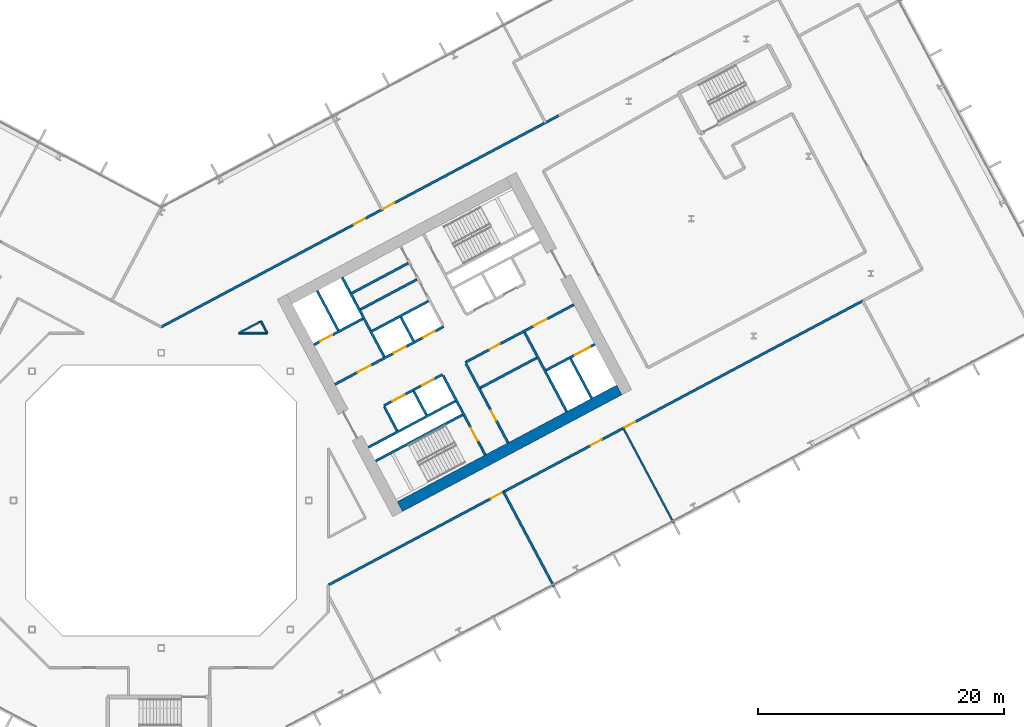
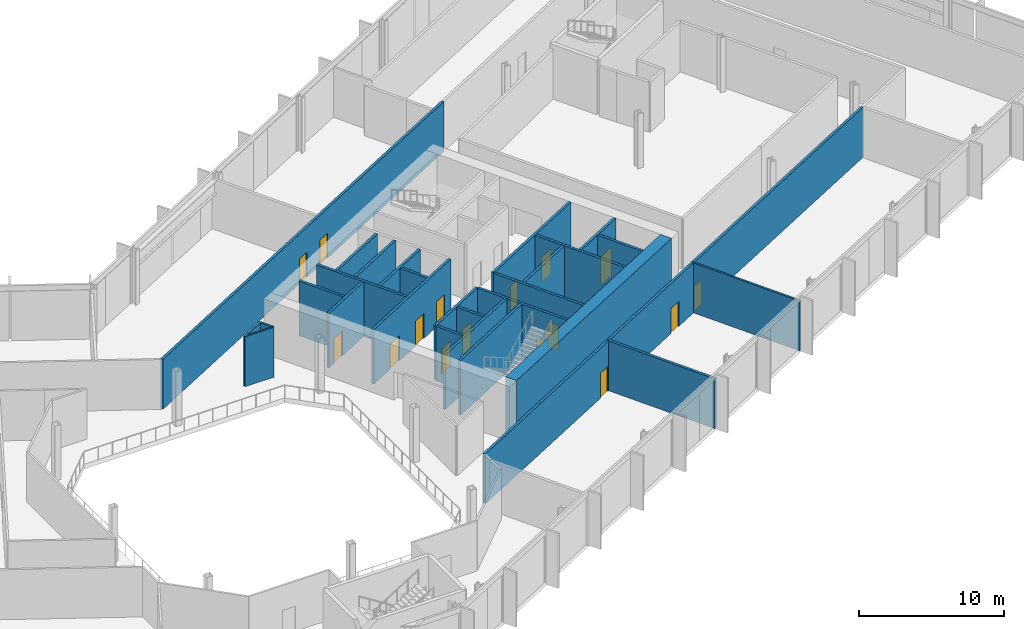
# One storey, part 17 of 30: 28 walls, 16 doors, 16 openings.
"""IFC4 building model written with IfcOpenShell, lengths in metres."""

from ifc_helpers import new_model, si_unit, direction, frame, frame_2d, origin, place, context, subcontext, project, spatial, rectangle, extrude, material, layer, layer_set, type_object, element, fill, save


model = new_model("IFC4")

# Units and contexts
model_context = context("Model", 3, precision=1e-05, world=origin(), true_north=direction((0.0, 1.0)))
body_context = subcontext(model_context, "Body", "Model", "MODEL_VIEW")
ifc_project = project(units=[si_unit("LENGTHUNIT", "METRE"), si_unit("AREAUNIT", "SQUARE_METRE"), si_unit("VOLUMEUNIT", "CUBIC_METRE"), si_unit("PLANEANGLEUNIT", "RADIAN"), si_unit("MASSUNIT", "GRAM", prefix="KILO")], contexts=[model_context])

# Site, building, storey
site_placement = place(None, origin())
site = spatial("IfcSite", under=ifc_project, at=site_placement, CompositionType="ELEMENT")
building_placement = place(site_placement, origin())
building = spatial("IfcBuilding", under=site, at=building_placement, Name="Cormorant Relay Tower", CompositionType="ELEMENT")
storey_placement = place(building_placement, frame((0.0, 0.0, 84.60009765625)))
storey = spatial("IfcBuildingStorey", under=building, at=storey_placement, Name="L16", CompositionType="ELEMENT", Elevation=84.60009765625)

# Walls
ifc_material_1 = material(Name="Concrete 40 MPa", Category="concrete")
ifc_layer_1 = layer(ifc_material_1, 0.199951171875)
ifc_layer_set_1 = layer_set([ifc_layer_1], Name="Core internal wall 200")
wall_type_1 = type_object("IfcWallType", Name="Core internal wall 200", PredefinedType="SOLIDWALL", material=ifc_layer_set_1)
for number, where, z_axis, x_axis, name in (
    (1, (21.567626953125, 6.9375, 0.0), (0.0, 0.0, 1.0), (-0.469533832133, 0.882914480843, 0.0), "L16 core B shaft and room wall"),
    (2, (20.522216796875, 12.950439453125, 0.0), (0.0, 0.0, 1.0), (-0.469401318492, 0.882984938828, 0.0), "L16 core B shaft and room wall"),
):
    element("IfcWall", number, at=place(storey_placement, frame(where, z_axis=z_axis, x_axis=x_axis)), inside=storey, type_object=wall_type_1, Name=name, PredefinedType="SOLIDWALL", context=body_context, shape_type="SweptSolid", body=[
        extrude(rectangle(XDim=2.199951171875, YDim=0.199951171875, at=frame_2d((1.10009765625, 0.0))), origin(), (0.0, 0.0, 1.0), 4.599853515625),
    ])
for number, where, z_axis, x_axis, name in (
    (3, (16.2080078125, 15.526611328125, 0.0), (0.0, 0.0, 1.0), (0.882953967957, 0.469459572775, 0.0), "L16 core B shaft and room wall"),
    (4, (15.503662109375, 16.85107421875, 0.0), (0.0, 0.0, 1.0), (0.882953967957, 0.469459572775, 0.0), "L16 core B shaft and room wall"),
):
    element("IfcWall", number, at=place(storey_placement, frame(where, z_axis=z_axis, x_axis=x_axis)), inside=storey, type_object=wall_type_1, Name=name, PredefinedType="SOLIDWALL", context=body_context, shape_type="SweptSolid", body=[
        extrude(rectangle(XDim=5.199951171875, YDim=0.199951171875, at=frame_2d((2.60009765625, 0.0))), origin(), (0.0, 0.0, 1.0), 4.599853515625),
    ])
ifc_material_2 = material(Name="Concrete 50 MPa", Category="concrete")
ifc_layer_2 = layer(ifc_material_2, 0.199951171875)
ifc_layer_set_2 = layer_set([ifc_layer_2], Name="Core shaft wall 200")
wall_type_2 = type_object("IfcWallType", Name="Core shaft wall 200", PredefinedType="SHEAR", material=ifc_layer_set_2)
wall_1_placement = place(storey_placement, frame((14.39404296875, 13.825927734375, 0.0), z_axis=(0.0, 0.0, 1.0), x_axis=(-0.469494272526, 0.882935517501, 0.0)))
element("IfcWall", 5, at=wall_1_placement, inside=storey, type_object=wall_type_2, Name="L16 core B shaft wall", PredefinedType="SHEAR", context=body_context, shape_type="SweptSolid", body=[
    extrude(rectangle(XDim=3.64990234375, YDim=0.199951171875, at=frame_2d((1.824951171875, 0.0))), origin(), (0.0, 0.0, 1.0), 4.599853515625),
])
wall_2_placement = place(storey_placement, frame((19.18359375, 5.669921875, 0.0), z_axis=(0.0, 0.0, 1.0), x_axis=(-0.4694473164, 0.882960484464, 0.0)))
element("IfcWall", 6, at=wall_2_placement, inside=storey, type_object=wall_type_2, Name="L16 core B shaft wall", PredefinedType="SHEAR", context=body_context, shape_type="SweptSolid", body=[
    extrude(rectangle(XDim=2.199951171875, YDim=0.199951171875, at=frame_2d((1.10009765625, 0.0))), origin(), (0.0, 0.0, 1.0), 4.599853515625),
])
wall_3_placement = place(storey_placement, frame((18.138427734375, 11.682861328125, 0.0), z_axis=(0.0, 0.0, 1.0), x_axis=(-0.469480409012, 0.88294288918, 0.0)))
element("IfcWall", 7, at=wall_3_placement, inside=storey, type_object=wall_type_2, Name="L16 core B shaft wall", PredefinedType="SHEAR", context=body_context, shape_type="SweptSolid", body=[
    extrude(rectangle(XDim=7.300048828125, YDim=0.199951171875, at=frame_2d((3.64990234375, 0.0))), origin(), (0.0, 0.0, 1.0), 4.599853515625),
])

# Wall, opening, door
wall_4_placement = place(storey_placement, frame((26.345947265625, 3.701904296875, 0.0), z_axis=(0.0, 0.0, 1.0), x_axis=(-0.469480409012, 0.88294288918, 0.0)))
wall_4 = element("IfcWall", 8, at=wall_4_placement, inside=storey, type_object=wall_type_2, Name="L16 core B shaft wall", PredefinedType="SHEAR", context=body_context, shape_type="SweptSolid", body=[
    extrude(rectangle(XDim=7.300048828125, YDim=0.199951171875, at=frame_2d((3.64990234375, 0.0))), origin(), (0.0, 0.0, 1.0), 4.599853515625),
])
opening_1_placement = place(wall_4_placement, frame((1.300048828125, 0.0, 0.0)))
opening_1 = element("IfcOpeningElement", 9, at=opening_1_placement, cuts=wall_4, Name="Opening CDB-026", PredefinedType="OPENING", context=body_context, shape_type="SweptSolid", body=[
    extrude(rectangle(XDim=1.199951171875, YDim=2.10009765625, at=frame_2d((0.60009765625, 1.050048828125))), frame((0.0, 0.10986328125, 0.0), z_axis=(0.0, -1.0, 0.0), x_axis=(1.0, 0.0, 0.0)), (0.0, 0.0, 1.0), 0.219970703125),
])
ifc_material_3 = material(Name="Steel fire door", Category="steel")
door_type_1 = type_object("IfcDoorType", Name="Core stair door 1200x2100", OperationType="SINGLE_SWING_LEFT", PredefinedType="DOOR", material=ifc_material_3)
door_1_placement = place(opening_1_placement, origin())
door_1 = element("IfcDoor", 10, at=door_1_placement, inside=storey, type_object=door_type_1, Name="Core stair door 1200x2100", OperationType="SINGLE_SWING_RIGHT", OverallHeight=2.10009765625, OverallWidth=1.199951171875, PredefinedType="DOOR", context=body_context, shape_type="SweptSolid", body=[
    extrude(rectangle(XDim=1.199951171875, YDim=2.10009765625, at=frame_2d((0.60009765625, 1.050048828125))), frame((0.0, 0.02490234375, 0.0), z_axis=(0.0, -1.0, 0.0), x_axis=(1.0, 0.0, 0.0)), (0.0, 0.0, 1.0), 0.050048828125),
])
fill(opening_1, door_1)

wall_5_placement = place(storey_placement, frame((28.199951171875, 4.687744140625, 0.0), z_axis=(0.0, 0.0, 1.0), x_axis=(-0.469454336211, 0.882956752176, 0.0)))
wall_5 = element("IfcWall", 11, at=wall_5_placement, inside=storey, type_object=wall_type_2, Name="L16 core B shaft wall", PredefinedType="SHEAR", context=body_context, shape_type="SweptSolid", body=[
    extrude(rectangle(XDim=7.300048828125, YDim=0.199951171875, at=frame_2d((3.64990234375, 0.0))), origin(), (0.0, 0.0, 1.0), 4.599853515625),
])
opening_2_placement = place(wall_5_placement, frame((2.050048828125, 0.0, 0.0)))
opening_2 = element("IfcOpeningElement", 12, at=opening_2_placement, cuts=wall_5, Name="Opening CDD-137", PredefinedType="OPENING", context=body_context, shape_type="SweptSolid", body=[
    extrude(rectangle(XDim=0.89990234375, YDim=2.10009765625, at=frame_2d((0.449951171875, 1.050048828125))), frame((0.0, 0.10986328125, 0.0), z_axis=(0.0, -1.0, 0.0), x_axis=(1.0, 0.0, 0.0)), (0.0, 0.0, 1.0), 0.219970703125),
])
ifc_material_4 = material(Name="Steel fire door", Category="steel")
door_type_2 = type_object("IfcDoorType", Name="Core room door 900x2100", OperationType="SINGLE_SWING_LEFT", PredefinedType="DOOR", material=ifc_material_4)
door_2_placement = place(opening_2_placement, frame((0.89990234375, 0.0, 0.0), z_axis=(0.0, 0.0, 1.0), x_axis=(-1.0, 0.0, 0.0)))
door_2 = element("IfcDoor", 13, at=door_2_placement, inside=storey, type_object=door_type_2, Name="Core room door 900x2100", OperationType="SINGLE_SWING_LEFT", OverallHeight=2.10009765625, OverallWidth=0.89990234375, PredefinedType="DOOR", context=body_context, shape_type="SweptSolid", body=[
    extrude(rectangle(XDim=0.89990234375, YDim=2.10009765625, at=frame_2d((0.449951171875, 1.050048828125))), frame((0.0, 0.02490234375, 0.0), z_axis=(0.0, -1.0, 0.0), x_axis=(1.0, 0.0, 0.0)), (0.0, 0.0, 1.0), 0.050048828125),
])
fill(opening_2, door_2)

# Walls
wall_6_placement = place(storey_placement, frame((32.968017578125, 7.222900390625, 0.0), z_axis=(0.0, 0.0, 1.0), x_axis=(-0.469480409012, 0.88294288918, 0.0)))
element("IfcWall", 14, at=wall_6_placement, inside=storey, type_object=wall_type_2, Name="L16 core B shaft wall", PredefinedType="SHEAR", context=body_context, shape_type="SweptSolid", body=[
    extrude(rectangle(XDim=7.300048828125, YDim=0.199951171875, at=frame_2d((3.64990234375, 0.0))), origin(), (0.0, 0.0, 1.0), 4.599853515625),
])
wall_7_placement = place(storey_placement, frame((34.998779296875, 8.302734375, 0.0), z_axis=(0.0, 0.0, 1.0), x_axis=(-0.4694665462, 0.882950260207, 0.0)))
element("IfcWall", 15, at=wall_7_placement, inside=storey, type_object=wall_type_2, Name="L16 core B shaft wall", PredefinedType="SHEAR", context=body_context, shape_type="SweptSolid", body=[
    extrude(rectangle(XDim=3.650146484375, YDim=0.199951171875, at=frame_2d((1.8251953125, 0.0))), origin(), (0.0, 0.0, 1.0), 4.599853515625),
])
wall_8_placement = place(storey_placement, frame((17.43359375, 3.210205078125, 0.0), z_axis=(0.0, 0.0, 1.0), x_axis=(0.882940221191, 0.469485426614, 0.0)))
element("IfcWall", 16, at=wall_8_placement, inside=storey, type_object=wall_type_2, Name="L16 core B shaft wall", PredefinedType="SHEAR", context=body_context, shape_type="SweptSolid", body=[
    extrude(rectangle(XDim=8.0, YDim=0.199951171875, at=frame_2d((4.0, 0.0))), origin(), (0.0, 0.0, 1.0), 4.599853515625),
])

# Wall, opening, door
wall_9_placement = place(storey_placement, frame((31.295654296875, 10.5810546875, 0.0), z_axis=(0.0, 0.0, 1.0), x_axis=(0.882960433586, 0.469447412093, 0.0)))
wall_9 = element("IfcWall", 17, at=wall_9_placement, inside=storey, type_object=wall_type_2, Name="L16 core B shaft wall", PredefinedType="SHEAR", context=body_context, shape_type="SweptSolid", body=[
    extrude(rectangle(XDim=4.5, YDim=0.199951171875, at=frame_2d((2.25, 0.0))), origin(), (0.0, 0.0, 1.0), 4.599853515625),
])
opening_3_placement = place(wall_9_placement, frame((2.64990234375, 0.0, 0.0)))
opening_3 = element("IfcOpeningElement", 18, at=opening_3_placement, cuts=wall_9, Name="Opening LD3-010", PredefinedType="OPENING", context=body_context, shape_type="SweptSolid", body=[
    extrude(rectangle(XDim=1.39990234375, YDim=2.39990234375, at=frame_2d((0.699951171875, 1.199951171875))), frame((0.0, 0.10986328125, 0.0), z_axis=(0.0, -1.0, 0.0), x_axis=(1.0, 0.0, 0.0)), (0.0, 0.0, 1.0), 0.219970703125),
])
ifc_material_5 = material(Name="Stainless steel 316", Category="steel")
door_type_3 = type_object("IfcDoorType", Name="Lift landing door 1400x2400", OperationType="DOUBLE_DOOR_SLIDING", PredefinedType="DOOR", material=ifc_material_5)
door_3_placement = place(opening_3_placement, origin())
door_3 = element("IfcDoor", 19, at=door_3_placement, inside=storey, type_object=door_type_3, Name="SV2 landing door", OperationType="DOUBLE_DOOR_SLIDING", OverallHeight=2.39990234375, OverallWidth=1.39990234375, PredefinedType="DOOR", context=body_context, shape_type="SweptSolid", body=[
    extrude(rectangle(XDim=1.39990234375, YDim=2.39990234375, at=frame_2d((0.699951171875, 1.199951171875))), frame((0.0, 0.02490234375, 0.0), z_axis=(0.0, -1.0, 0.0), x_axis=(1.0, 0.0, 0.0)), (0.0, 0.0, 1.0), 0.050048828125),
])
fill(opening_3, door_3)

# Walls
wall_10_placement = place(storey_placement, frame((16.8466796875, 4.31396484375, 0.0), z_axis=(0.0, 0.0, 1.0), x_axis=(0.882940221191, 0.469485426614, 0.0)))
element("IfcWall", 20, at=wall_10_placement, inside=storey, type_object=wall_type_2, Name="L16 core B shaft wall", PredefinedType="SHEAR", context=body_context, shape_type="SweptSolid", body=[
    extrude(rectangle(XDim=8.0, YDim=0.199951171875, at=frame_2d((4.0, 0.0))), origin(), (0.0, 0.0, 1.0), 4.599853515625),
])
wall_11_placement = place(storey_placement, frame((25.94091796875, 9.149658203125, 0.0), z_axis=(0.0, 0.0, 1.0), x_axis=(0.882953967957, 0.469459572775, 0.0)))
element("IfcWall", 21, at=wall_11_placement, inside=storey, type_object=wall_type_2, Name="L16 core B shaft wall", PredefinedType="SHEAR", context=body_context, shape_type="SweptSolid", body=[
    extrude(rectangle(XDim=5.199951171875, YDim=0.199951171875, at=frame_2d((2.60009765625, 0.0))), origin(), (0.0, 0.0, 1.0), 4.599853515625),
])

# Wall, openings, doors
wall_12_placement = place(storey_placement, frame((18.103759765625, 7.70068359375, 0.0), z_axis=(0.0, 0.0, 1.0), x_axis=(0.882952937579, 0.469461510692, 0.0)))
wall_12 = element("IfcWall", 22, at=wall_12_placement, inside=storey, type_object=wall_type_2, Name="L16 core B shaft wall", PredefinedType="SHEAR", context=body_context, shape_type="SweptSolid", body=[
    extrude(rectangle(XDim=5.400146484375, YDim=0.199951171875, at=frame_2d((2.7001953125, 0.0))), origin(), (0.0, 0.0, 1.0), 4.599853515625),
])
opening_4_placement = place(wall_12_placement, frame((0.800048828125, 0.0, 0.0)))
opening_4 = element("IfcOpeningElement", 23, at=opening_4_placement, cuts=wall_12, Name="Opening LD1-032", PredefinedType="OPENING", context=body_context, shape_type="SweptSolid", body=[
    extrude(rectangle(XDim=1.10009765625, YDim=2.10009765625, at=frame_2d((0.550048828125, 1.050048828125))), frame((0.0, 0.10986328125, 0.0), z_axis=(0.0, -1.0, 0.0), x_axis=(1.0, 0.0, 0.0)), (0.0, 0.0, 1.0), 0.219970703125),
])
opening_5_placement = place(wall_12_placement, frame((3.5, 0.0, 0.0)))
opening_5 = element("IfcOpeningElement", 24, at=opening_5_placement, cuts=wall_12, Name="Opening LD1-033", PredefinedType="OPENING", context=body_context, shape_type="SweptSolid", body=[
    extrude(rectangle(XDim=1.10009765625, YDim=2.10009765625, at=frame_2d((0.550048828125, 1.050048828125))), frame((0.0, 0.10986328125, 0.0), z_axis=(0.0, -1.0, 0.0), x_axis=(1.0, 0.0, 0.0)), (0.0, 0.0, 1.0), 0.219970703125),
])
ifc_material_6 = material(Name="Stainless steel 316", Category="steel")
door_type_4 = type_object("IfcDoorType", Name="Lift landing door 1100x2100", OperationType="DOUBLE_DOOR_SLIDING", PredefinedType="DOOR", material=ifc_material_6)
door_4_placement = place(opening_4_placement, origin())
door_4 = element("IfcDoor", 25, at=door_4_placement, inside=storey, type_object=door_type_4, Name="LR5 landing door", OperationType="DOUBLE_DOOR_SLIDING", OverallHeight=2.10009765625, OverallWidth=1.10009765625, PredefinedType="DOOR", context=body_context, shape_type="SweptSolid", body=[
    extrude(rectangle(XDim=1.10009765625, YDim=2.10009765625, at=frame_2d((0.550048828125, 1.050048828125))), frame((0.0, 0.02490234375, 0.0), z_axis=(0.0, -1.0, 0.0), x_axis=(1.0, 0.0, 0.0)), (0.0, 0.0, 1.0), 0.050048828125),
])
fill(opening_4, door_4)
door_5_placement = place(opening_5_placement, origin())
door_5 = element("IfcDoor", 26, at=door_5_placement, inside=storey, type_object=door_type_4, Name="LR6 landing door", OperationType="DOUBLE_DOOR_SLIDING", OverallHeight=2.10009765625, OverallWidth=1.10009765625, PredefinedType="DOOR", context=body_context, shape_type="SweptSolid", body=[
    extrude(rectangle(XDim=1.10009765625, YDim=2.10009765625, at=frame_2d((0.550048828125, 1.050048828125))), frame((0.0, 0.02490234375, 0.0), z_axis=(0.0, -1.0, 0.0), x_axis=(1.0, 0.0, 0.0)), (0.0, 0.0, 1.0), 0.050048828125),
])
fill(opening_5, door_5)

wall_13_placement = place(storey_placement, frame((24.72607421875, 11.2216796875, 0.0), z_axis=(0.0, 0.0, 1.0), x_axis=(0.882940221191, 0.469485426614, 0.0)))
wall_13 = element("IfcWall", 27, at=wall_13_placement, inside=storey, type_object=wall_type_2, Name="L16 core B shaft wall", PredefinedType="SHEAR", context=body_context, shape_type="SweptSolid", body=[
    extrude(rectangle(XDim=10.0, YDim=0.199951171875, at=frame_2d((5.0, 0.0))), origin(), (0.0, 0.0, 1.0), 4.599853515625),
])
opening_6_placement = place(wall_13_placement, frame((6.300048828125, 0.0, 0.0)))
opening_6 = element("IfcOpeningElement", 28, at=opening_6_placement, cuts=wall_13, Name="Opening CDC-020", PredefinedType="OPENING", context=body_context, shape_type="SweptSolid", body=[
    extrude(rectangle(XDim=1.199951171875, YDim=2.10009765625, at=frame_2d((0.60009765625, 1.050048828125))), frame((0.0, 0.10986328125, 0.0), z_axis=(0.0, -1.0, 0.0), x_axis=(1.0, 0.0, 0.0)), (0.0, 0.0, 1.0), 0.219970703125),
])
opening_7_placement = place(wall_13_placement, frame((2.25, 0.0, 0.0)))
opening_7 = element("IfcOpeningElement", 29, at=opening_7_placement, cuts=wall_13, Name="Opening CDD-133", PredefinedType="OPENING", context=body_context, shape_type="SweptSolid", body=[
    extrude(rectangle(XDim=0.89990234375, YDim=2.10009765625, at=frame_2d((0.449951171875, 1.050048828125))), frame((0.0, 0.10986328125, 0.0), z_axis=(0.0, -1.0, 0.0), x_axis=(1.0, 0.0, 0.0)), (0.0, 0.0, 1.0), 0.219970703125),
])
ifc_material_7 = material(Name="Steel fire door", Category="steel")
door_type_5 = type_object("IfcDoorType", Name="Core lobby door 1200x2100", OperationType="SINGLE_SWING_LEFT", PredefinedType="DOOR", material=ifc_material_7)
door_6_placement = place(opening_6_placement, frame((1.199951171875, 0.0, 0.0), z_axis=(0.0, 0.0, 1.0), x_axis=(-1.0, 0.0, 0.0)))
door_6 = element("IfcDoor", 30, at=door_6_placement, inside=storey, type_object=door_type_5, Name="Core lobby door 1200x2100", OperationType="SINGLE_SWING_RIGHT", OverallHeight=2.10009765625, OverallWidth=1.199951171875, PredefinedType="DOOR", context=body_context, shape_type="SweptSolid", body=[
    extrude(rectangle(XDim=1.199951171875, YDim=2.10009765625, at=frame_2d((0.60009765625, 1.050048828125))), frame((0.0, 0.02490234375, 0.0), z_axis=(0.0, -1.0, 0.0), x_axis=(1.0, 0.0, 0.0)), (0.0, 0.0, 1.0), 0.050048828125),
])
fill(opening_6, door_6)
door_7_placement = place(opening_7_placement, frame((0.89990234375, 0.0, 0.0), z_axis=(0.0, 0.0, 1.0), x_axis=(-1.0, 0.0, 0.0)))
door_7 = element("IfcDoor", 31, at=door_7_placement, inside=storey, type_object=door_type_2, Name="Core room door 900x2100", OperationType="SINGLE_SWING_RIGHT", OverallHeight=2.10009765625, OverallWidth=0.89990234375, PredefinedType="DOOR", context=body_context, shape_type="SweptSolid", body=[
    extrude(rectangle(XDim=0.89990234375, YDim=2.10009765625, at=frame_2d((0.449951171875, 1.050048828125))), frame((0.0, 0.02490234375, 0.0), z_axis=(0.0, -1.0, 0.0), x_axis=(1.0, 0.0, 0.0)), (0.0, 0.0, 1.0), 0.050048828125),
])
fill(opening_7, door_7)

wall_14_placement = place(storey_placement, frame((14.123779296875, 9.43505859375, 0.0), z_axis=(0.0, 0.0, 1.0), x_axis=(0.882940221191, 0.469485426614, 0.0)))
wall_14 = element("IfcWall", 32, at=wall_14_placement, inside=storey, type_object=wall_type_2, Name="L16 core B shaft wall", PredefinedType="SHEAR", context=body_context, shape_type="SweptSolid", body=[
    extrude(rectangle(XDim=10.0, YDim=0.199951171875, at=frame_2d((5.0, 0.0))), origin(), (0.0, 0.0, 1.0), 4.599853515625),
])
opening_8_placement = place(wall_14_placement, frame((2.10009765625, 0.0, 0.0)))
opening_8 = element("IfcOpeningElement", 33, at=opening_8_placement, cuts=wall_14, Name="Opening CDC-019", PredefinedType="OPENING", context=body_context, shape_type="SweptSolid", body=[
    extrude(rectangle(XDim=1.199951171875, YDim=2.10009765625, at=frame_2d((0.60009765625, 1.050048828125))), frame((0.0, 0.10986328125, 0.0), z_axis=(0.0, -1.0, 0.0), x_axis=(1.0, 0.0, 0.0)), (0.0, 0.0, 1.0), 0.219970703125),
])
opening_9_placement = place(wall_14_placement, frame((5.39990234375, 0.0, 0.0)))
opening_9 = element("IfcOpeningElement", 34, at=opening_9_placement, cuts=wall_14, Name="Opening LD1-028", PredefinedType="OPENING", context=body_context, shape_type="SweptSolid", body=[
    extrude(rectangle(XDim=1.10009765625, YDim=2.10009765625, at=frame_2d((0.550048828125, 1.050048828125))), frame((0.0, 0.10986328125, 0.0), z_axis=(0.0, -1.0, 0.0), x_axis=(1.0, 0.0, 0.0)), (0.0, 0.0, 1.0), 0.219970703125),
])
opening_10_placement = place(wall_14_placement, frame((8.10009765625, 0.0, 0.0)))
opening_10 = element("IfcOpeningElement", 35, at=opening_10_placement, cuts=wall_14, Name="Opening LD1-029", PredefinedType="OPENING", context=body_context, shape_type="SweptSolid", body=[
    extrude(rectangle(XDim=1.10009765625, YDim=2.10009765625, at=frame_2d((0.550048828125, 1.050048828125))), frame((0.0, 0.10986328125, 0.0), z_axis=(0.0, -1.0, 0.0), x_axis=(1.0, 0.0, 0.0)), (0.0, 0.0, 1.0), 0.219970703125),
])
door_8_placement = place(opening_8_placement, origin())
door_8 = element("IfcDoor", 36, at=door_8_placement, inside=storey, type_object=door_type_5, Name="Core lobby door 1200x2100", OperationType="SINGLE_SWING_RIGHT", OverallHeight=2.10009765625, OverallWidth=1.199951171875, PredefinedType="DOOR", context=body_context, shape_type="SweptSolid", body=[
    extrude(rectangle(XDim=1.199951171875, YDim=2.10009765625, at=frame_2d((0.60009765625, 1.050048828125))), frame((0.0, 0.02490234375, 0.0), z_axis=(0.0, -1.0, 0.0), x_axis=(1.0, 0.0, 0.0)), (0.0, 0.0, 1.0), 0.050048828125),
])
fill(opening_8, door_8)
door_9_placement = place(opening_9_placement, origin())
door_9 = element("IfcDoor", 37, at=door_9_placement, inside=storey, type_object=door_type_4, Name="LR1 landing door", OperationType="DOUBLE_DOOR_SLIDING", OverallHeight=2.10009765625, OverallWidth=1.10009765625, PredefinedType="DOOR", context=body_context, shape_type="SweptSolid", body=[
    extrude(rectangle(XDim=1.10009765625, YDim=2.10009765625, at=frame_2d((0.550048828125, 1.050048828125))), frame((0.0, 0.02490234375, 0.0), z_axis=(0.0, -1.0, 0.0), x_axis=(1.0, 0.0, 0.0)), (0.0, 0.0, 1.0), 0.050048828125),
])
fill(opening_9, door_9)
door_10_placement = place(opening_10_placement, origin())
door_10 = element("IfcDoor", 38, at=door_10_placement, inside=storey, type_object=door_type_4, Name="LR2 landing door", OperationType="DOUBLE_DOOR_SLIDING", OverallHeight=2.10009765625, OverallWidth=1.10009765625, PredefinedType="DOOR", context=body_context, shape_type="SweptSolid", body=[
    extrude(rectangle(XDim=1.10009765625, YDim=2.10009765625, at=frame_2d((0.550048828125, 1.050048828125))), frame((0.0, 0.02490234375, 0.0), z_axis=(0.0, -1.0, 0.0), x_axis=(1.0, 0.0, 0.0)), (0.0, 0.0, 1.0), 0.050048828125),
])
fill(opening_10, door_10)

# Wall
wall_15_placement = place(storey_placement, frame((17.146728515625, 13.7607421875, 0.0), z_axis=(0.0, 0.0, 1.0), x_axis=(0.882964314875, 0.469440111896, 0.0)))
element("IfcWall", 39, at=wall_15_placement, inside=storey, type_object=wall_type_2, Name="L16 core B shaft wall", PredefinedType="SHEAR", context=body_context, shape_type="SweptSolid", body=[
    extrude(rectangle(XDim=5.2001953125, YDim=0.199951171875, at=frame_2d((2.60009765625, 0.0))), origin(), (0.0, 0.0, 1.0), 4.599853515625),
])

# Wall, opening, door
wall_16_placement = place(storey_placement, frame((12.41015625, 12.657958984375, 0.0), z_axis=(0.0, 0.0, 1.0), x_axis=(0.8829484765, 0.469469900894, 0.0)))
wall_16 = element("IfcWall", 40, at=wall_16_placement, inside=storey, type_object=wall_type_2, Name="L16 core B shaft wall", PredefinedType="SHEAR", context=body_context, shape_type="SweptSolid", body=[
    extrude(rectangle(XDim=4.499755859375, YDim=0.199951171875, at=frame_2d((2.25, 0.0))), origin(), (0.0, 0.0, 1.0), 4.599853515625),
])
opening_11_placement = place(wall_16_placement, frame((0.60009765625, 0.0, 0.0)))
opening_11 = element("IfcOpeningElement", 41, at=opening_11_placement, cuts=wall_16, Name="Opening LD1-034", PredefinedType="OPENING", context=body_context, shape_type="SweptSolid", body=[
    extrude(rectangle(XDim=1.10009765625, YDim=2.10009765625, at=frame_2d((0.550048828125, 1.050048828125))), frame((0.0, 0.10986328125, 0.0), z_axis=(0.0, -1.0, 0.0), x_axis=(1.0, 0.0, 0.0)), (0.0, 0.0, 1.0), 0.219970703125),
])
door_11_placement = place(opening_11_placement, origin())
door_11 = element("IfcDoor", 42, at=door_11_placement, inside=storey, type_object=door_type_4, Name="FF2 landing door", OperationType="DOUBLE_DOOR_SLIDING", OverallHeight=2.10009765625, OverallWidth=1.10009765625, PredefinedType="DOOR", context=body_context, shape_type="SweptSolid", body=[
    extrude(rectangle(XDim=1.10009765625, YDim=2.10009765625, at=frame_2d((0.550048828125, 1.050048828125))), frame((0.0, 0.02490234375, 0.0), z_axis=(0.0, -1.0, 0.0), x_axis=(1.0, 0.0, 0.0)), (0.0, 0.0, 1.0), 0.050048828125),
])
fill(opening_11, door_11)

# Wall
ifc_material_8 = material(Name="Concrete 70 MPa", Category="concrete")
ifc_layer_3 = layer(ifc_material_8, 0.89990234375)
ifc_layer_set_3 = layer_set([ifc_layer_3], Name="Core wall 900")
wall_type_3 = type_object("IfcWallType", Name="Core wall 900", PredefinedType="SHEAR", material=ifc_layer_set_3)
wall_17_placement = place(storey_placement, frame((19.4052734375, -0.498046875, 0.0), z_axis=(0.0, 0.0, 1.0), x_axis=(0.88294509198, 0.469476266226, 0.0)))
element("IfcWall", 43, at=wall_17_placement, inside=storey, type_object=wall_type_3, Name="L16 core B wall", PredefinedType="SHEAR", context=body_context, shape_type="SweptSolid", body=[
    extrude(rectangle(XDim=20.199951171875, YDim=0.89990234375, at=frame_2d((10.10009765625, 0.0))), origin(), (0.0, 0.0, 1.0), 4.599853515625),
])

# Wall, openings, doors
ifc_material_9 = material(Name="Fire-rated gypsum board partition")
ifc_layer_4 = layer(ifc_material_9, 0.199951171875)
ifc_layer_set_4 = layer_set([ifc_layer_4], Name="Fire-rated gypsum partition 200")
wall_type_4 = type_object("IfcWallType", Name="Fire-rated gypsum partition 200", PredefinedType="PARTITIONING", material=ifc_layer_set_4)
wall_18_placement = place(storey_placement, frame((0.0, 14.10009765625, 0.0), z_axis=(0.0, 0.0, 1.0), x_axis=(0.882942713919, 0.469480738623, 0.0)))
wall_18 = element("IfcWall", 44, at=wall_18_placement, inside=storey, type_object=wall_type_4, Name="wall/L16/part/38", PredefinedType="PARTITIONING", context=body_context, shape_type="SweptSolid", body=[
    extrude(rectangle(XDim=36.59130859375, YDim=0.199951171875, at=frame_2d((18.295654296875, 0.0))), origin(), (0.0, 0.0, 1.0), 4.199951171875),
])
opening_12_placement = place(wall_18_placement, frame((20.449951171875, 0.0, 0.0)))
opening_12 = element("IfcOpeningElement", 45, at=opening_12_placement, cuts=wall_18, Name="Opening FD1-100", PredefinedType="OPENING", context=body_context, shape_type="SweptSolid", body=[
    extrude(rectangle(XDim=1.0, YDim=2.10009765625, at=frame_2d((0.5, 1.050048828125))), frame((0.0, 0.10986328125, 0.0), z_axis=(0.0, -1.0, 0.0), x_axis=(1.0, 0.0, 0.0)), (0.0, 0.0, 1.0), 0.219970703125),
])
opening_13_placement = place(wall_18_placement, frame((17.75, 0.0, 0.0)))
opening_13 = element("IfcOpeningElement", 46, at=opening_13_placement, cuts=wall_18, Name="Opening FD1-093", PredefinedType="OPENING", context=body_context, shape_type="SweptSolid", body=[
    extrude(rectangle(XDim=1.0, YDim=2.10009765625, at=frame_2d((0.5, 1.050048828125))), frame((0.0, 0.10986328125, 0.0), z_axis=(0.0, -1.0, 0.0), x_axis=(1.0, 0.0, 0.0)), (0.0, 0.0, 1.0), 0.219970703125),
])
ifc_material_10 = material(Name="Fire-rated steel door", Category="steel")
door_type_6 = type_object("IfcDoorType", Name="Fire door 1000 x 2100", OperationType="SINGLE_SWING_LEFT", PredefinedType="DOOR", material=ifc_material_10)
door_12_placement = place(opening_12_placement, origin())
door_12 = element("IfcDoor", 47, at=door_12_placement, inside=storey, type_object=door_type_6, Name="door/L16/9", OperationType="SINGLE_SWING_LEFT", OverallHeight=2.10009765625, OverallWidth=1.0, PredefinedType="DOOR", context=body_context, shape_type="SweptSolid", body=[
    extrude(rectangle(XDim=1.0, YDim=2.10009765625, at=frame_2d((0.5, 1.050048828125))), frame((0.0, 0.02490234375, 0.0), z_axis=(0.0, -1.0, 0.0), x_axis=(1.0, 0.0, 0.0)), (0.0, 0.0, 1.0), 0.050048828125),
])
fill(opening_12, door_12)
door_13_placement = place(opening_13_placement, origin())
door_13 = element("IfcDoor", 48, at=door_13_placement, inside=storey, type_object=door_type_6, Name="door/L16/10", OperationType="SINGLE_SWING_LEFT", OverallHeight=2.10009765625, OverallWidth=1.0, PredefinedType="DOOR", context=body_context, shape_type="SweptSolid", body=[
    extrude(rectangle(XDim=1.0, YDim=2.10009765625, at=frame_2d((0.5, 1.050048828125))), frame((0.0, 0.02490234375, 0.0), z_axis=(0.0, -1.0, 0.0), x_axis=(1.0, 0.0, 0.0)), (0.0, 0.0, 1.0), 0.050048828125),
])
fill(opening_13, door_13)

# Wall
wall_19_placement = place(storey_placement, frame((27.8349609375, 0.698974609375, 0.0), z_axis=(0.0, 0.0, 1.0), x_axis=(0.469540779382, -0.882910786262, 0.0)))
element("IfcWall", 49, at=wall_19_placement, inside=storey, type_object=wall_type_4, Name="wall/L16/part/56", PredefinedType="PARTITIONING", context=body_context, shape_type="SweptSolid", body=[
    extrude(rectangle(XDim=8.749267578125, YDim=0.199951171875, at=frame_2d((4.37451171875, 0.0))), origin(), (0.0, 0.0, 1.0), 4.199951171875),
])

# Wall, openings, doors
wall_20_placement = place(storey_placement, frame((57.041015625, 16.22900390625, 0.0), z_axis=(0.0, 0.0, 1.0), x_axis=(-0.882947975476, -0.469470843188, 0.0)))
wall_20 = element("IfcWall", 50, at=wall_20_placement, inside=storey, type_object=wall_type_4, Name="wall/L16/part/57", PredefinedType="PARTITIONING", context=body_context, shape_type="SweptSolid", body=[
    extrude(rectangle(XDim=49.199951171875, YDim=0.199951171875, at=frame_2d((24.60009765625, 0.0))), origin(), (0.0, 0.0, 1.0), 4.199951171875),
])
opening_14_placement = place(wall_20_placement, frame((33.25, 0.0, 0.0)))
opening_14 = element("IfcOpeningElement", 51, at=opening_14_placement, cuts=wall_20, Name="Opening FD1-095", PredefinedType="OPENING", context=body_context, shape_type="SweptSolid", body=[
    extrude(rectangle(XDim=1.0, YDim=2.10009765625, at=frame_2d((0.5, 1.050048828125))), frame((0.0, 0.10986328125, 0.0), z_axis=(0.0, -1.0, 0.0), x_axis=(1.0, 0.0, 0.0)), (0.0, 0.0, 1.0), 0.219970703125),
])
opening_15_placement = place(wall_20_placement, frame((24.050048828125, 0.0, 0.0)))
opening_15 = element("IfcOpeningElement", 52, at=opening_15_placement, cuts=wall_20, Name="Opening FD1-096", PredefinedType="OPENING", context=body_context, shape_type="SweptSolid", body=[
    extrude(rectangle(XDim=1.0, YDim=2.10009765625, at=frame_2d((0.5, 1.050048828125))), frame((0.0, 0.10986328125, 0.0), z_axis=(0.0, -1.0, 0.0), x_axis=(1.0, 0.0, 0.0)), (0.0, 0.0, 1.0), 0.219970703125),
])
opening_16_placement = place(wall_20_placement, frame((20.949951171875, 0.0, 0.0)))
opening_16 = element("IfcOpeningElement", 53, at=opening_16_placement, cuts=wall_20, Name="Opening FD1-097", PredefinedType="OPENING", context=body_context, shape_type="SweptSolid", body=[
    extrude(rectangle(XDim=1.0, YDim=2.10009765625, at=frame_2d((0.5, 1.050048828125))), frame((0.0, 0.10986328125, 0.0), z_axis=(0.0, -1.0, 0.0), x_axis=(1.0, 0.0, 0.0)), (0.0, 0.0, 1.0), 0.219970703125),
])
door_14_placement = place(opening_14_placement, origin())
door_14 = element("IfcDoor", 54, at=door_14_placement, inside=storey, type_object=door_type_6, Name="door/L16/4", OperationType="SINGLE_SWING_LEFT", OverallHeight=2.10009765625, OverallWidth=1.0, PredefinedType="DOOR", context=body_context, shape_type="SweptSolid", body=[
    extrude(rectangle(XDim=1.0, YDim=2.10009765625, at=frame_2d((0.5, 1.050048828125))), frame((0.0, 0.02490234375, 0.0), z_axis=(0.0, -1.0, 0.0), x_axis=(1.0, 0.0, 0.0)), (0.0, 0.0, 1.0), 0.050048828125),
])
fill(opening_14, door_14)
door_15_placement = place(opening_15_placement, origin())
door_15 = element("IfcDoor", 55, at=door_15_placement, inside=storey, type_object=door_type_6, Name="door/L16/5", OperationType="SINGLE_SWING_RIGHT", OverallHeight=2.10009765625, OverallWidth=1.0, PredefinedType="DOOR", context=body_context, shape_type="SweptSolid", body=[
    extrude(rectangle(XDim=1.0, YDim=2.10009765625, at=frame_2d((0.5, 1.050048828125))), frame((0.0, 0.02490234375, 0.0), z_axis=(0.0, -1.0, 0.0), x_axis=(1.0, 0.0, 0.0)), (0.0, 0.0, 1.0), 0.050048828125),
])
fill(opening_15, door_15)
door_16_placement = place(opening_16_placement, origin())
door_16 = element("IfcDoor", 56, at=door_16_placement, inside=storey, type_object=door_type_6, Name="door/L16/6", OperationType="SINGLE_SWING_RIGHT", OverallHeight=2.10009765625, OverallWidth=1.0, PredefinedType="DOOR", context=body_context, shape_type="SweptSolid", body=[
    extrude(rectangle(XDim=1.0, YDim=2.10009765625, at=frame_2d((0.5, 1.050048828125))), frame((0.0, 0.02490234375, 0.0), z_axis=(0.0, -1.0, 0.0), x_axis=(1.0, 0.0, 0.0)), (0.0, 0.0, 1.0), 0.050048828125),
])
fill(opening_16, door_16)

# Walls
ifc_material_11 = material(Name="Gypsum board partition")
ifc_layer_5 = layer(ifc_material_11, 0.14990234375)
ifc_layer_set_5 = layer_set([ifc_layer_5], Name="Gypsum board partition 150")
wall_type_5 = type_object("IfcWallType", Name="Gypsum board partition 150", PredefinedType="PARTITIONING", material=ifc_layer_set_5)
wall_21_placement = place(storey_placement, frame((37.568115234375, 5.875, 0.0), z_axis=(0.0, 0.0, 1.0), x_axis=(0.469461194384, -0.882953105758, 0.0)))
element("IfcWall", 57, at=wall_21_placement, inside=storey, type_object=wall_type_5, Name="wall/L16/part/63", PredefinedType="PARTITIONING", context=body_context, shape_type="SweptSolid", body=[
    extrude(rectangle(XDim=8.750244140625, YDim=0.14990234375, at=frame_2d((4.375, 0.0))), origin(), (0.0, 0.0, 1.0), 4.199951171875),
])
wall_22_placement = place(storey_placement, frame((8.625, 13.60009765625, 0.0), z_axis=(0.0, 0.0, 1.0), x_axis=(-0.469460742142, 0.882953346212, 0.0)))
element("IfcWall", 58, at=wall_22_placement, inside=storey, type_object=wall_type_5, Name="wall/L16/part/85", PredefinedType="PARTITIONING", context=body_context, shape_type="SweptSolid", body=[
    extrude(rectangle(XDim=1.090576171875, YDim=0.14990234375, at=frame_2d((0.54541015625, 0.0))), origin(), (0.0, 0.0, 1.0), 4.199951171875),
])
wall_23_placement = place(storey_placement, frame((8.113037109375, 14.56298828125, 0.0), z_axis=(0.0, 0.0, 1.0), x_axis=(-0.88306333775, -0.469253813539, 0.0)))
element("IfcWall", 59, at=wall_23_placement, inside=storey, type_object=wall_type_5, Name="wall/L16/part/86", PredefinedType="PARTITIONING", context=body_context, shape_type="SweptSolid", body=[
    extrude(rectangle(XDim=2.052001953125, YDim=0.14990234375, at=frame_2d((1.02587890625, 0.0))), origin(), (0.0, 0.0, 1.0), 4.199951171875),
])
wall_24_placement = place(storey_placement, frame((6.301025390625, 13.60009765625, 0.0), z_axis=(0.0, 0.0, 1.0), x_axis=(1.0, 0.0, 0.0)))
element("IfcWall", 60, at=wall_24_placement, inside=storey, type_object=wall_type_5, Name="wall/L16/part/87", PredefinedType="PARTITIONING", context=body_context, shape_type="SweptSolid", body=[
    extrude(rectangle(XDim=2.323974609375, YDim=0.14990234375, at=frame_2d((1.162109375, 0.0))), origin(), (0.0, 0.0, 1.0), 4.199951171875),
])

save(model, "model.ifc")
